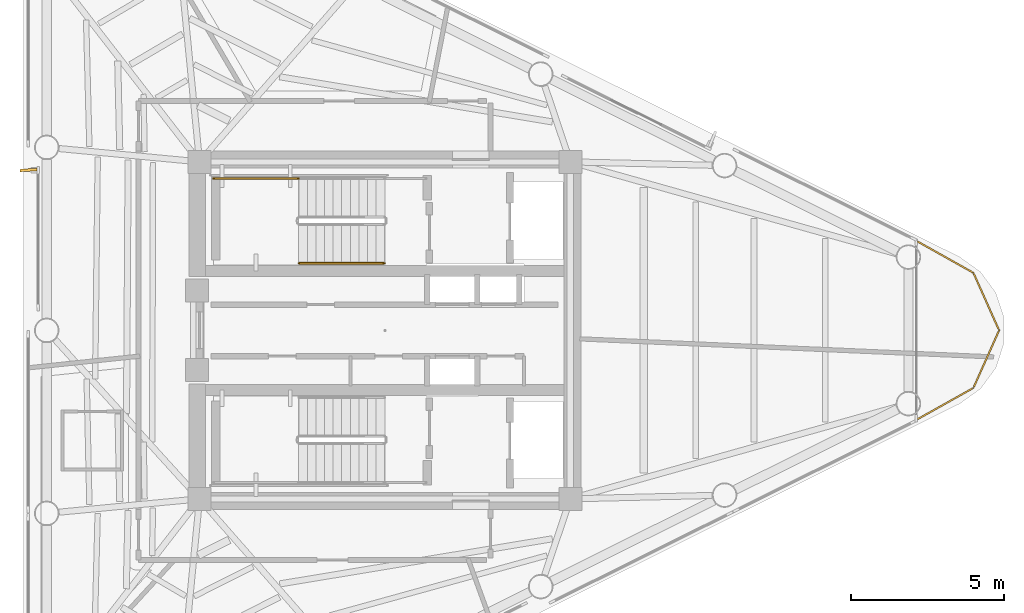
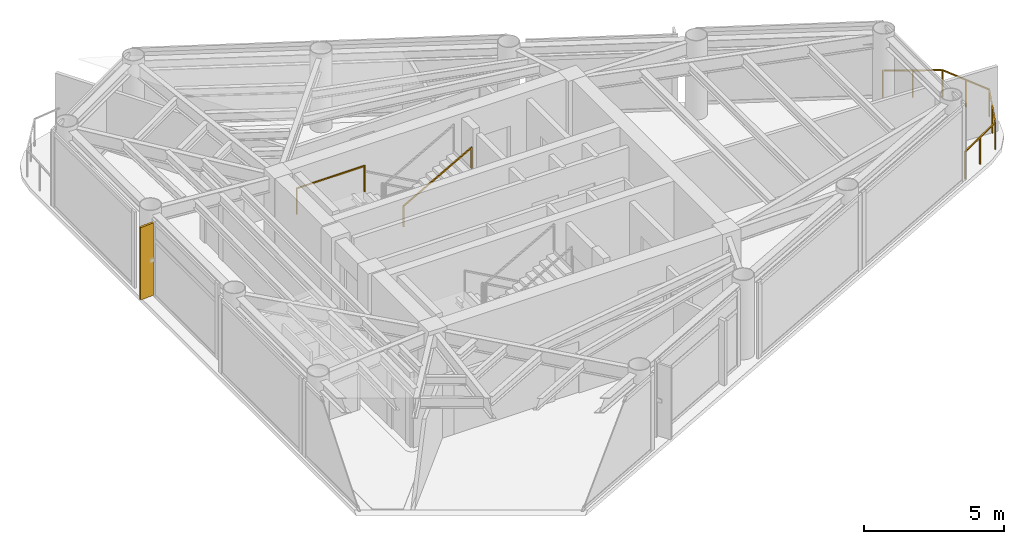
# One storey, part 9 of 10: 3 railings, 1 shading device.
"""IFC4 building model written with IfcOpenShell, lengths in metres."""

from ifc_helpers import new_model, si_unit, direction, frame, origin, origin_2d, place, context, subcontext, project, spatial, rectangle, extrude, source, transform, mapped, material, material_profile, profile_set, type_object, element, save


model = new_model("IFC4")

# Units and contexts
model_context = context("Model", 3, precision=1e-05, world=origin(), true_north=direction((0.0, 1.0)))
body_context = subcontext(model_context, "Body", "Model", "MODEL_VIEW")
ifc_project = project(units=[si_unit("LENGTHUNIT", "METRE"), si_unit("AREAUNIT", "SQUARE_METRE"), si_unit("VOLUMEUNIT", "CUBIC_METRE"), si_unit("PLANEANGLEUNIT", "RADIAN"), si_unit("MASSUNIT", "GRAM", prefix="KILO")], contexts=[model_context])

# Site, building, storey
site_placement = place(None, origin())
site = spatial("IfcSite", under=ifc_project, at=site_placement, CompositionType="ELEMENT")
building_placement = place(site_placement, origin())
building = spatial("IfcBuilding", under=site, at=building_placement, Name="Yunling Apex Tower", CompositionType="ELEMENT")
storey_placement = place(building_placement, frame((0.0, 0.0, 310.550048828125)))
storey = spatial("IfcBuildingStorey", under=building, at=storey_placement, Name="L76", CompositionType="ELEMENT", Elevation=310.550048828125)

# Railings
ifc_material_1 = material(Name="Bronze anodised aluminium", Category="aluminium")
railing_type_1 = type_object("IfcRailingType", Name="RL-BAL-1200", PredefinedType="BALUSTRADE", material=ifc_material_1)
railing_1_placement = place(storey_placement, frame((17.349365234375, 2.919677734375, 0.0)))
element("IfcRailing", 1, at=railing_1_placement, inside=storey, type_object=railing_type_1, Name="RL-CRNSILL-L76-1", PredefinedType="BALUSTRADE", context=body_context, shape_type="SweptSolid", body=[
    extrude(rectangle(XDim=0.0439453125, YDim=0.0439453125, at=origin_2d()), origin(), (0.0, 0.0, 1.0), 1.199951171875),
    extrude(rectangle(XDim=0.0439453125, YDim=0.0439453125, at=origin_2d()), frame((1.85791015625, -1.040771484375, 0.0)), (0.0, 0.0, 1.0), 1.199951171875),
    extrude(rectangle(XDim=0.050048828125, YDim=0.050048828125, at=origin_2d()), frame((0.033447265625, -0.018798828125, 1.1748046875), z_axis=(0.872437584312, -0.488725548216, 0.0), x_axis=(0.488725548216, 0.872437584312, 0.0)), (0.0, 0.0, 1.0), 2.052978515625),
    extrude(rectangle(XDim=0.0439453125, YDim=0.0439453125, at=origin_2d()), frame((0.928955078125, -0.5205078125, 0.0)), (0.0, 0.0, 1.0), 1.14599609375),
    extrude(rectangle(XDim=0.0439453125, YDim=0.0439453125, at=origin_2d()), frame((2.697021484375, -2.919677734375, 0.0)), (0.0, 0.0, 1.0), 1.199951171875),
    extrude(rectangle(XDim=0.050048828125, YDim=0.050048828125, at=origin_2d()), frame((1.87353515625, -1.07568359375, 1.1748046875), z_axis=(0.407778028912, -0.913081091216, 0.0), x_axis=(0.913081091216, 0.407778028912, 0.0)), (0.0, 0.0, 1.0), 1.981201171875),
    extrude(rectangle(XDim=0.0439453125, YDim=0.0439453125, at=origin_2d()), frame((2.27734375, -1.980224609375, 0.0)), (0.0, 0.0, 1.0), 1.14599609375),
    extrude(rectangle(XDim=0.0439453125, YDim=0.0439453125, at=origin_2d()), frame((1.85791015625, -4.798583984375, 0.0)), (0.0, 0.0, 1.0), 1.199951171875),
    extrude(rectangle(XDim=0.050048828125, YDim=0.050048828125, at=origin_2d()), frame((2.681396484375, -2.95458984375, 1.1748046875), z_axis=(-0.407778028912, -0.913081091216, 0.0), x_axis=(0.913081091216, -0.407778028912, 0.0)), (0.0, 0.0, 1.0), 1.981201171875),
    extrude(rectangle(XDim=0.0439453125, YDim=0.0439453125, at=origin_2d()), frame((2.27734375, -3.859130859375, 0.0)), (0.0, 0.0, 1.0), 1.14599609375),
    extrude(rectangle(XDim=0.0439453125, YDim=0.0439453125, at=origin_2d()), frame((0.0, -5.83935546875, 0.0)), (0.0, 0.0, 1.0), 1.199951171875),
    extrude(rectangle(XDim=0.050048828125, YDim=0.050048828125, at=origin_2d()), frame((1.824462890625, -4.8173828125, 1.1748046875), z_axis=(-0.872437584312, -0.488725548216, 0.0), x_axis=(0.488725548216, -0.872437584312, 0.0)), (0.0, 0.0, 1.0), 2.052978515625),
    extrude(rectangle(XDim=0.0439453125, YDim=0.0439453125, at=origin_2d()), frame((0.928955078125, -5.31884765625, 0.0)), (0.0, 0.0, 1.0), 1.14599609375),
])
ifc_material_2 = material(Name="Steel Q355B", Category="steel")
railing_type_2 = type_object("IfcRailingType", Name="RL-GRD-1150", PredefinedType="GUARDRAIL", material=ifc_material_2)
railing_2_placement = place(storey_placement, frame((-2.81005859375, 4.9599609375, 1.724853515625)))
element("IfcRailing", 2, at=railing_2_placement, inside=storey, type_object=railing_type_2, Name="L76 ST-1 stair guard 3", PredefinedType="GUARDRAIL", context=body_context, shape_type="SweptSolid", body=[
    extrude(rectangle(XDim=0.0439453125, YDim=0.0439453125, at=origin_2d()), origin(), (0.0, 0.0, 1.0), 1.14990234375),
    extrude(rectangle(XDim=0.0439453125, YDim=0.0439453125, at=origin_2d()), frame((-2.7900390625, 0.0, 0.0)), (0.0, 0.0, 1.0), 1.14990234375),
    extrude(rectangle(XDim=0.050048828125, YDim=0.050048828125, at=origin_2d()), frame((-0.038330078125, 0.0, 1.125), z_axis=(-1.0, 0.0, 0.0), x_axis=(0.0, -1.0, 0.0)), (0.0, 0.0, 1.0), 2.71337890625),
])
ifc_material_3 = material(Name="Silver anodised aluminium", Category="aluminium")
railing_type_3 = type_object("IfcRailingType", Name="RL-HND-900", PredefinedType="HANDRAIL", material=ifc_material_3)
railing_3_placement = place(storey_placement, frame((-2.81005859375, 2.18994140625, 1.8818359375)))
element("IfcRailing", 3, at=railing_3_placement, inside=storey, type_object=railing_type_3, Name="L76 ST-1 stair handrail 2", PredefinedType="HANDRAIL", context=body_context, shape_type="SweptSolid", body=[
    extrude(rectangle(XDim=0.0439453125, YDim=0.0439453125, at=origin_2d()), origin(), (0.0, 0.0, 1.0), 0.919921875),
    extrude(rectangle(XDim=0.0439453125, YDim=0.0439453125, at=origin_2d()), frame((2.800048828125, 0.0, 1.568115234375)), (0.0, 0.0, 1.0), 0.919921875),
    extrude(rectangle(XDim=0.050048828125, YDim=0.050048828125, at=origin_2d()), frame((0.033447265625, 0.0, 0.91357421875), z_axis=(0.872494340497, 0.0, 0.48862421737), x_axis=(0.0, 1.0, 0.0)), (0.0, 0.0, 1.0), 3.132568359375),
])

# Shading device
ifc_material_profile = material_profile(ifc_material_1, rectangle(XDim=0.0849609375, YDim=0.550048828125, at=origin_2d()))
ifc_profile_set = profile_set([ifc_material_profile], Name="Bronze anodised aluminium")
shading_device_type = type_object("IfcShadingDeviceType", Name="FN-BRZ-3", PredefinedType="USERDEFINED", material=ifc_profile_set)
shared_shape = source(origin(), body_context, "Body", "SweptSolid", [
    extrude(rectangle(XDim=0.0849609375, YDim=0.550048828125, at=origin_2d()), origin(), (0.0, 0.0, 1.0), 3.14990234375),
])
shading_device_placement = place(storey_placement, frame((-11.63232421875, 5.232666015625, 0.06005859375), z_axis=(0.0, 0.0, 1.0), x_axis=(0.06540312923, -0.997858923239, 0.0)))
element("IfcShadingDevice", 4, at=shading_device_placement, inside=storey, type_object=shading_device_type, Name="CW-L76-F3-B2-FIN-01", ObjectType="FIN", PredefinedType="USERDEFINED", context=body_context, shape_type="MappedRepresentation", body=[
    mapped(shared_shape, transform((0.0, 0.0, 0.0), scale=1.0)),
])

save(model, "model.ifc")
